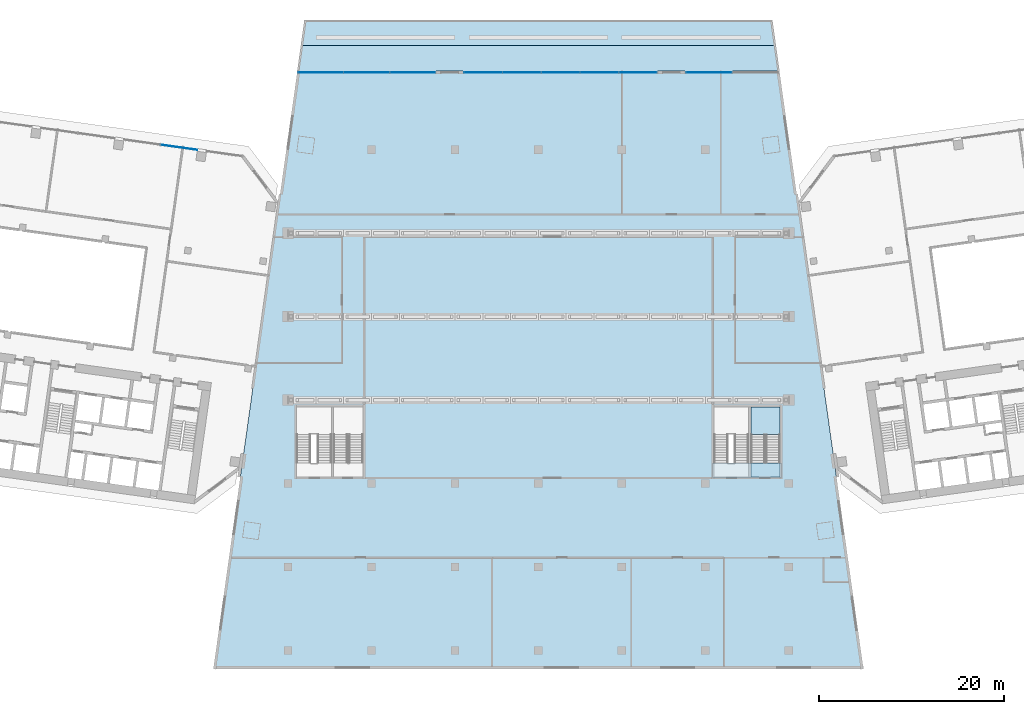
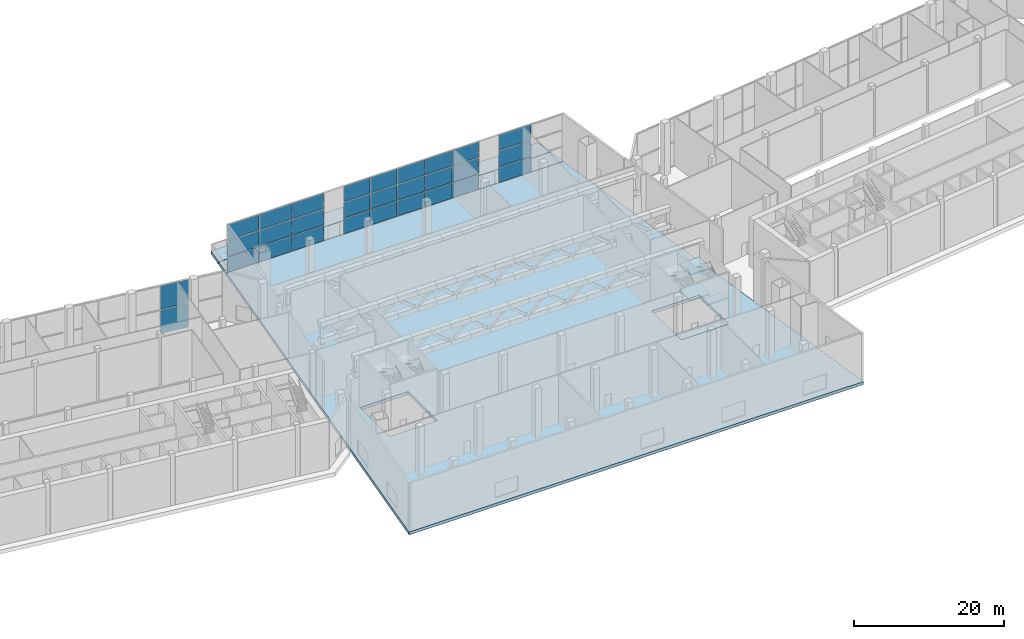
# One storey, part 14 of 31: 29 plates, 7 slabs, 5 elements without a shape of their own.
"""IFC4 building model written with IfcOpenShell, lengths in metres."""

from ifc_helpers import new_model, si_unit, direction, frame, origin, origin_2d, place, context, subcontext, project, spatial, polyline, rectangle, outline, extrude, material, layer, layer_set, type_object, element, aggregate, save


model = new_model("IFC4")

# Units and contexts
model_context = context("Model", 3, precision=1e-05, world=origin(), true_north=direction((0.0, 1.0)))
body_context = subcontext(model_context, "Body", "Model", "MODEL_VIEW")
ifc_project = project(units=[si_unit("LENGTHUNIT", "METRE"), si_unit("AREAUNIT", "SQUARE_METRE"), si_unit("VOLUMEUNIT", "CUBIC_METRE"), si_unit("PLANEANGLEUNIT", "RADIAN"), si_unit("MASSUNIT", "GRAM", prefix="KILO")], contexts=[model_context])

# Site, building, storey
site_placement = place(None, origin())
site = spatial("IfcSite", under=ifc_project, at=site_placement, CompositionType="ELEMENT")
building_placement = place(site_placement, origin())
building = spatial("IfcBuilding", under=site, at=building_placement, Name="Mirante Cascada Hotel Towers", CompositionType="ELEMENT")
storey_placement = place(building_placement, frame((0.0, 0.0, 9.0)))
storey = spatial("IfcBuildingStorey", under=building, at=storey_placement, Name="L01", CompositionType="ELEMENT", Elevation=9.0)

# Curtain wall, plates
ifc_material_1 = material(Name="Aluminium mullion and transom frame with clear laminated glass", Category="aluminium")
curtain_wall_type = type_object("IfcCurtainWallType", Name="Podium curtain wall ECW3", PredefinedType="NOTDEFINED", material=ifc_material_1)
curtain_wall_1_placement = place(storey_placement, origin())
curtain_wall_1 = element("IfcCurtainWall", 1, at=curtain_wall_1_placement, inside=storey, type_object=curtain_wall_type, Name="Front podium glazing T1 L01", PredefinedType="NOTDEFINED")
ifc_material_2 = material(Name="Clear laminated glass", Category="glass")
ifc_layer_1 = layer(ifc_material_2, 0.04)
ifc_layer_set_1 = layer_set([ifc_layer_1], Name="ECW3 glass panel 40")
plate_type = type_object("IfcPlateType", Name="ECW3 glass panel 40", PredefinedType="CURTAIN_PANEL", material=ifc_layer_set_1)
plate_1_placement = place(storey_placement, frame((-38.7767, 18.2687, 0.12), z_axis=(0.0, 0.0, 1.0), x_axis=(0.9902681, -0.1391731, 0.0)))
plate_1 = element("IfcPlate", 2, at=plate_1_placement, type_object=plate_type, Name="ECW3 panel 13", PredefinedType="CURTAIN_PANEL", context=body_context, shape_type="SweptSolid", body=[
    extrude(rectangle(XDim=3.9844, YDim=0.04, at=origin_2d()), origin(), (0.0, 0.0, 1.0), 3.82),
])
plate_2_placement = place(storey_placement, frame((-38.7767, 18.2687, 4.06), z_axis=(0.0, 0.0, 1.0), x_axis=(0.9902681, -0.1391731, 0.0)))
plate_2 = element("IfcPlate", 3, at=plate_2_placement, type_object=plate_type, Name="ECW3 panel 13", PredefinedType="CURTAIN_PANEL", context=body_context, shape_type="SweptSolid", body=[
    extrude(rectangle(XDim=3.9844, YDim=0.04, at=origin_2d()), origin(), (0.0, 0.0, 1.0), 3.82),
])
aggregate(curtain_wall_1, [plate_1, plate_2])

curtain_wall_2_placement = place(storey_placement, origin())
curtain_wall_2 = element("IfcCurtainWall", 4, at=curtain_wall_2_placement, inside=storey, type_object=curtain_wall_type, Name="Podium curtain wall L01 run 4.1", PredefinedType="NOTDEFINED")
plate_3_placement = place(storey_placement, frame((18.4076, 26.35, 0.12), z_axis=(0.0, 0.0, 1.0), x_axis=(-1.0, 0.0, 0.0)))
plate_3 = element("IfcPlate", 5, at=plate_3_placement, type_object=plate_type, Name="ECW3 panel 2", PredefinedType="CURTAIN_PANEL", context=body_context, shape_type="SweptSolid", body=[
    extrude(rectangle(XDim=4.9513, YDim=0.04, at=origin_2d()), origin(), (0.0, 0.0, 1.0), 2.4867),
])
plate_4_placement = place(storey_placement, frame((18.4076, 26.35, 2.7266), z_axis=(0.0, 0.0, 1.0), x_axis=(-1.0, 0.0, 0.0)))
plate_4 = element("IfcPlate", 6, at=plate_4_placement, type_object=plate_type, Name="ECW3 panel 2", PredefinedType="CURTAIN_PANEL", context=body_context, shape_type="SweptSolid", body=[
    extrude(rectangle(XDim=4.9513, YDim=0.04, at=origin_2d()), origin(), (0.0, 0.0, 1.0), 2.5467),
])
plate_5_placement = place(storey_placement, frame((18.4076, 26.35, 5.3934), z_axis=(0.0, 0.0, 1.0), x_axis=(-1.0, 0.0, 0.0)))
plate_5 = element("IfcPlate", 7, at=plate_5_placement, type_object=plate_type, Name="ECW3 panel 2", PredefinedType="CURTAIN_PANEL", context=body_context, shape_type="SweptSolid", body=[
    extrude(rectangle(XDim=4.9513, YDim=0.04, at=origin_2d()), origin(), (0.0, 0.0, 1.0), 2.4867),
])
aggregate(curtain_wall_2, [plate_3, plate_4, plate_5])

curtain_wall_3_placement = place(storey_placement, origin())
curtain_wall_3 = element("IfcCurtainWall", 8, at=curtain_wall_3_placement, inside=storey, type_object=curtain_wall_type, Name="Podium curtain wall L01 run 4.3", PredefinedType="NOTDEFINED")
plate_6_placement = place(storey_placement, frame((10.74, 26.35, 0.12), z_axis=(0.0, 0.0, 1.0), x_axis=(-1.0, 0.0, 0.0)))
plate_6 = element("IfcPlate", 9, at=plate_6_placement, type_object=plate_type, Name="ECW3 panel 1", PredefinedType="CURTAIN_PANEL", context=body_context, shape_type="SweptSolid", body=[
    extrude(rectangle(XDim=4.064, YDim=0.04, at=origin_2d()), origin(), (0.0, 0.0, 1.0), 2.4867),
])
plate_7_placement = place(storey_placement, frame((10.74, 26.35, 2.7266), z_axis=(0.0, 0.0, 1.0), x_axis=(-1.0, 0.0, 0.0)))
plate_7 = element("IfcPlate", 10, at=plate_7_placement, type_object=plate_type, Name="ECW3 panel 1", PredefinedType="CURTAIN_PANEL", context=body_context, shape_type="SweptSolid", body=[
    extrude(rectangle(XDim=4.064, YDim=0.04, at=origin_2d()), origin(), (0.0, 0.0, 1.0), 2.5467),
])
plate_8_placement = place(storey_placement, frame((10.74, 26.35, 5.3934), z_axis=(0.0, 0.0, 1.0), x_axis=(-1.0, 0.0, 0.0)))
plate_8 = element("IfcPlate", 11, at=plate_8_placement, type_object=plate_type, Name="ECW3 panel 1", PredefinedType="CURTAIN_PANEL", context=body_context, shape_type="SweptSolid", body=[
    extrude(rectangle(XDim=4.064, YDim=0.04, at=origin_2d()), origin(), (0.0, 0.0, 1.0), 2.4867),
])
plate_9_placement = place(storey_placement, frame((6.576, 26.35, 0.12), z_axis=(0.0, 0.0, 1.0), x_axis=(-1.0, 0.0, 0.0)))
plate_9 = element("IfcPlate", 12, at=plate_9_placement, type_object=plate_type, Name="ECW3 panel 2", PredefinedType="CURTAIN_PANEL", context=body_context, shape_type="SweptSolid", body=[
    extrude(rectangle(XDim=4.104, YDim=0.04, at=origin_2d()), origin(), (0.0, 0.0, 1.0), 2.4867),
])
plate_10_placement = place(storey_placement, frame((6.576, 26.35, 2.7266), z_axis=(0.0, 0.0, 1.0), x_axis=(-1.0, 0.0, 0.0)))
plate_10 = element("IfcPlate", 13, at=plate_10_placement, type_object=plate_type, Name="ECW3 panel 2", PredefinedType="CURTAIN_PANEL", context=body_context, shape_type="SweptSolid", body=[
    extrude(rectangle(XDim=4.104, YDim=0.04, at=origin_2d()), origin(), (0.0, 0.0, 1.0), 2.5467),
])
plate_11_placement = place(storey_placement, frame((6.576, 26.35, 5.3934), z_axis=(0.0, 0.0, 1.0), x_axis=(-1.0, 0.0, 0.0)))
plate_11 = element("IfcPlate", 14, at=plate_11_placement, type_object=plate_type, Name="ECW3 panel 2", PredefinedType="CURTAIN_PANEL", context=body_context, shape_type="SweptSolid", body=[
    extrude(rectangle(XDim=4.104, YDim=0.04, at=origin_2d()), origin(), (0.0, 0.0, 1.0), 2.4867),
])
plate_12_placement = place(storey_placement, frame((2.392, 26.35, 0.12), z_axis=(0.0, 0.0, 1.0), x_axis=(-1.0, 0.0, 0.0)))
plate_12 = element("IfcPlate", 15, at=plate_12_placement, type_object=plate_type, Name="ECW3 panel 3", PredefinedType="CURTAIN_PANEL", context=body_context, shape_type="SweptSolid", body=[
    extrude(rectangle(XDim=4.104, YDim=0.04, at=origin_2d()), origin(), (0.0, 0.0, 1.0), 2.4867),
])
plate_13_placement = place(storey_placement, frame((2.392, 26.35, 2.7266), z_axis=(0.0, 0.0, 1.0), x_axis=(-1.0, 0.0, 0.0)))
plate_13 = element("IfcPlate", 16, at=plate_13_placement, type_object=plate_type, Name="ECW3 panel 3", PredefinedType="CURTAIN_PANEL", context=body_context, shape_type="SweptSolid", body=[
    extrude(rectangle(XDim=4.104, YDim=0.04, at=origin_2d()), origin(), (0.0, 0.0, 1.0), 2.5467),
])
plate_14_placement = place(storey_placement, frame((2.392, 26.35, 5.3934), z_axis=(0.0, 0.0, 1.0), x_axis=(-1.0, 0.0, 0.0)))
plate_14 = element("IfcPlate", 17, at=plate_14_placement, type_object=plate_type, Name="ECW3 panel 3", PredefinedType="CURTAIN_PANEL", context=body_context, shape_type="SweptSolid", body=[
    extrude(rectangle(XDim=4.104, YDim=0.04, at=origin_2d()), origin(), (0.0, 0.0, 1.0), 2.4867),
])
plate_15_placement = place(storey_placement, frame((-1.792, 26.35, 0.12), z_axis=(0.0, 0.0, 1.0), x_axis=(-1.0, 0.0, 0.0)))
plate_15 = element("IfcPlate", 18, at=plate_15_placement, type_object=plate_type, Name="ECW3 panel 4", PredefinedType="CURTAIN_PANEL", context=body_context, shape_type="SweptSolid", body=[
    extrude(rectangle(XDim=4.104, YDim=0.04, at=origin_2d()), origin(), (0.0, 0.0, 1.0), 2.4867),
])
plate_16_placement = place(storey_placement, frame((-1.792, 26.35, 2.7266), z_axis=(0.0, 0.0, 1.0), x_axis=(-1.0, 0.0, 0.0)))
plate_16 = element("IfcPlate", 19, at=plate_16_placement, type_object=plate_type, Name="ECW3 panel 4", PredefinedType="CURTAIN_PANEL", context=body_context, shape_type="SweptSolid", body=[
    extrude(rectangle(XDim=4.104, YDim=0.04, at=origin_2d()), origin(), (0.0, 0.0, 1.0), 2.5467),
])
plate_17_placement = place(storey_placement, frame((-1.792, 26.35, 5.3934), z_axis=(0.0, 0.0, 1.0), x_axis=(-1.0, 0.0, 0.0)))
plate_17 = element("IfcPlate", 20, at=plate_17_placement, type_object=plate_type, Name="ECW3 panel 4", PredefinedType="CURTAIN_PANEL", context=body_context, shape_type="SweptSolid", body=[
    extrude(rectangle(XDim=4.104, YDim=0.04, at=origin_2d()), origin(), (0.0, 0.0, 1.0), 2.4867),
])
plate_18_placement = place(storey_placement, frame((-5.956, 26.35, 0.12), z_axis=(0.0, 0.0, 1.0), x_axis=(-1.0, 0.0, 0.0)))
plate_18 = element("IfcPlate", 21, at=plate_18_placement, type_object=plate_type, Name="ECW3 panel 5", PredefinedType="CURTAIN_PANEL", context=body_context, shape_type="SweptSolid", body=[
    extrude(rectangle(XDim=4.064, YDim=0.04, at=origin_2d()), origin(), (0.0, 0.0, 1.0), 2.4867),
])
plate_19_placement = place(storey_placement, frame((-5.956, 26.35, 2.7266), z_axis=(0.0, 0.0, 1.0), x_axis=(-1.0, 0.0, 0.0)))
plate_19 = element("IfcPlate", 22, at=plate_19_placement, type_object=plate_type, Name="ECW3 panel 5", PredefinedType="CURTAIN_PANEL", context=body_context, shape_type="SweptSolid", body=[
    extrude(rectangle(XDim=4.064, YDim=0.04, at=origin_2d()), origin(), (0.0, 0.0, 1.0), 2.5467),
])
plate_20_placement = place(storey_placement, frame((-5.956, 26.35, 5.3934), z_axis=(0.0, 0.0, 1.0), x_axis=(-1.0, 0.0, 0.0)))
plate_20 = element("IfcPlate", 23, at=plate_20_placement, type_object=plate_type, Name="ECW3 panel 5", PredefinedType="CURTAIN_PANEL", context=body_context, shape_type="SweptSolid", body=[
    extrude(rectangle(XDim=4.064, YDim=0.04, at=origin_2d()), origin(), (0.0, 0.0, 1.0), 2.4867),
])
aggregate(curtain_wall_3, [plate_6, plate_7, plate_8, plate_9, plate_10, plate_11, plate_12, plate_13, plate_14, plate_15, plate_16, plate_17, plate_18, plate_19, plate_20])

curtain_wall_4_placement = place(storey_placement, origin())
curtain_wall_4 = element("IfcCurtainWall", 24, at=curtain_wall_4_placement, inside=storey, type_object=curtain_wall_type, Name="Podium curtain wall L01 run 4.5", PredefinedType="NOTDEFINED")
plate_21_placement = place(storey_placement, frame((-13.5758, 26.35, 0.12), z_axis=(0.0, 0.0, 1.0), x_axis=(-1.0, 0.0, 0.0)))
plate_21 = element("IfcPlate", 25, at=plate_21_placement, type_object=plate_type, Name="ECW3 panel 1", PredefinedType="CURTAIN_PANEL", context=body_context, shape_type="SweptSolid", body=[
    extrude(rectangle(XDim=4.8555, YDim=0.04, at=origin_2d()), origin(), (0.0, 0.0, 1.0), 2.4867),
])
plate_22_placement = place(storey_placement, frame((-13.5758, 26.35, 2.7266), z_axis=(0.0, 0.0, 1.0), x_axis=(-1.0, 0.0, 0.0)))
plate_22 = element("IfcPlate", 26, at=plate_22_placement, type_object=plate_type, Name="ECW3 panel 1", PredefinedType="CURTAIN_PANEL", context=body_context, shape_type="SweptSolid", body=[
    extrude(rectangle(XDim=4.8555, YDim=0.04, at=origin_2d()), origin(), (0.0, 0.0, 1.0), 2.5467),
])
plate_23_placement = place(storey_placement, frame((-13.5758, 26.35, 5.3934), z_axis=(0.0, 0.0, 1.0), x_axis=(-1.0, 0.0, 0.0)))
plate_23 = element("IfcPlate", 27, at=plate_23_placement, type_object=plate_type, Name="ECW3 panel 1", PredefinedType="CURTAIN_PANEL", context=body_context, shape_type="SweptSolid", body=[
    extrude(rectangle(XDim=4.8555, YDim=0.04, at=origin_2d()), origin(), (0.0, 0.0, 1.0), 2.4867),
])
plate_24_placement = place(storey_placement, frame((-18.5313, 26.35, 0.12), z_axis=(0.0, 0.0, 1.0), x_axis=(-1.0, 0.0, 0.0)))
plate_24 = element("IfcPlate", 28, at=plate_24_placement, type_object=plate_type, Name="ECW3 panel 2", PredefinedType="CURTAIN_PANEL", context=body_context, shape_type="SweptSolid", body=[
    extrude(rectangle(XDim=4.8955, YDim=0.04, at=origin_2d()), origin(), (0.0, 0.0, 1.0), 2.4867),
])
plate_25_placement = place(storey_placement, frame((-18.5313, 26.35, 2.7266), z_axis=(0.0, 0.0, 1.0), x_axis=(-1.0, 0.0, 0.0)))
plate_25 = element("IfcPlate", 29, at=plate_25_placement, type_object=plate_type, Name="ECW3 panel 2", PredefinedType="CURTAIN_PANEL", context=body_context, shape_type="SweptSolid", body=[
    extrude(rectangle(XDim=4.8955, YDim=0.04, at=origin_2d()), origin(), (0.0, 0.0, 1.0), 2.5467),
])
plate_26_placement = place(storey_placement, frame((-18.5313, 26.35, 5.3934), z_axis=(0.0, 0.0, 1.0), x_axis=(-1.0, 0.0, 0.0)))
plate_26 = element("IfcPlate", 30, at=plate_26_placement, type_object=plate_type, Name="ECW3 panel 2", PredefinedType="CURTAIN_PANEL", context=body_context, shape_type="SweptSolid", body=[
    extrude(rectangle(XDim=4.8955, YDim=0.04, at=origin_2d()), origin(), (0.0, 0.0, 1.0), 2.4867),
])
plate_27_placement = place(storey_placement, frame((-23.4868, 26.35, 0.12), z_axis=(0.0, 0.0, 1.0), x_axis=(-1.0, 0.0, 0.0)))
plate_27 = element("IfcPlate", 31, at=plate_27_placement, type_object=plate_type, Name="ECW3 panel 3", PredefinedType="CURTAIN_PANEL", context=body_context, shape_type="SweptSolid", body=[
    extrude(rectangle(XDim=4.8555, YDim=0.04, at=origin_2d()), origin(), (0.0, 0.0, 1.0), 2.4867),
])
plate_28_placement = place(storey_placement, frame((-23.4868, 26.35, 2.7266), z_axis=(0.0, 0.0, 1.0), x_axis=(-1.0, 0.0, 0.0)))
plate_28 = element("IfcPlate", 32, at=plate_28_placement, type_object=plate_type, Name="ECW3 panel 3", PredefinedType="CURTAIN_PANEL", context=body_context, shape_type="SweptSolid", body=[
    extrude(rectangle(XDim=4.8555, YDim=0.04, at=origin_2d()), origin(), (0.0, 0.0, 1.0), 2.5467),
])
plate_29_placement = place(storey_placement, frame((-23.4868, 26.35, 5.3934), z_axis=(0.0, 0.0, 1.0), x_axis=(-1.0, 0.0, 0.0)))
plate_29 = element("IfcPlate", 33, at=plate_29_placement, type_object=plate_type, Name="ECW3 panel 3", PredefinedType="CURTAIN_PANEL", context=body_context, shape_type="SweptSolid", body=[
    extrude(rectangle(XDim=4.8555, YDim=0.04, at=origin_2d()), origin(), (0.0, 0.0, 1.0), 2.4867),
])
aggregate(curtain_wall_4, [plate_21, plate_22, plate_23, plate_24, plate_25, plate_26, plate_27, plate_28, plate_29])

# Slab
ifc_material_3 = material(Name="Concrete C35/45", Category="concrete")
ifc_layer_2 = layer(ifc_material_3, 0.5)
ifc_layer_set_2 = layer_set([ifc_layer_2], Name="Floor slab 500 C35/45")
slab_type_1 = type_object("IfcSlabType", Name="Floor slab 500 C35/45", PredefinedType="FLOOR", material=ifc_layer_set_2)
slab_1_placement = place(storey_placement, frame((0.0, 0.0, -0.5)))
element("IfcSlab", 34, at=slab_1_placement, inside=storey, type_object=slab_type_1, Name="Podium floor slab L01", PredefinedType="FLOOR", context=body_context, shape_type="SweptSolid", body=[
    extrude(outline(polyline([(-25.9946, 26.5), (25.9946, 26.5), (35.0595, -38.0), (-35.0595, -38.0), (-25.9946, 26.5)]), holes=[polyline([(26.2, -17.4), (26.2, -9.6), (18.8, -9.6), (18.8, -17.4), (26.2, -17.4)]), polyline([(-18.8, -17.4), (-18.8, -9.6), (-26.2, -9.6), (-26.2, -17.4), (-18.8, -17.4)])]), origin(), (0.0, 0.0, 1.0), 0.5),
])

# Stair, slabs
ifc_material_4 = material(Name="Concrete C35/45", Category="concrete")
stair_type = type_object("IfcStairType", Name="Podium exit stair half-turn 1500 concrete C35/45", PredefinedType="HALF_TURN_STAIR", material=ifc_material_4)
stair_placement = place(storey_placement, origin())
stair = element("IfcStair", 35, at=stair_placement, inside=storey, type_object=stair_type, Name="L01 Podium exit stair 4", PredefinedType="HALF_TURN_STAIR")
ifc_material_5 = material(Name="Concrete C35/45", Category="concrete")
ifc_layer_3 = layer(ifc_material_5, 0.2)
ifc_layer_set_3 = layer_set([ifc_layer_3], Name="Podium exit stair landing 200 concrete C35/45")
slab_type_2 = type_object("IfcSlabType", Name="Podium exit stair landing 200 concrete C35/45", PredefinedType="LANDING", material=ifc_layer_set_3)
slab_2_placement = place(storey_placement, frame((0.0, 0.0, 1.925)))
slab_2 = element("IfcSlab", 36, at=slab_2_placement, type_object=slab_type_2, Name="PS2 landing 1", PredefinedType="LANDING", context=body_context, shape_type="SweptSolid", body=[
    extrude(outline(polyline([(26.075, -12.695), (26.075, -9.725), (22.925, -9.725), (22.925, -12.695), (26.075, -12.695)])), origin(), (0.0, 0.0, 1.0), 0.2),
])
slab_3_placement = place(storey_placement, frame((0.0, 0.0, 4.05)))
slab_3 = element("IfcSlab", 37, at=slab_3_placement, type_object=slab_type_2, Name="PS2 landing 2", PredefinedType="LANDING", context=body_context, shape_type="SweptSolid", body=[
    extrude(outline(polyline([(26.075, -17.275), (26.075, -15.775), (22.925, -15.775), (22.925, -17.275), (26.075, -17.275)])), origin(), (0.0, 0.0, 1.0), 0.2),
])
slab_4_placement = place(storey_placement, frame((0.0, 0.0, 6.175)))
slab_4 = element("IfcSlab", 38, at=slab_4_placement, type_object=slab_type_2, Name="PS2 landing 3", PredefinedType="LANDING", context=body_context, shape_type="SweptSolid", body=[
    extrude(outline(polyline([(26.075, -12.695), (26.075, -9.725), (22.925, -9.725), (22.925, -12.695), (26.075, -12.695)])), origin(), (0.0, 0.0, 1.0), 0.2),
])
aggregate(stair, [slab_2, slab_3, slab_4])

# Slabs
ifc_material_6 = material(Name="Concrete C35/45", Category="concrete")
ifc_layer_4 = layer(ifc_material_6, 0.5)
ifc_layer_set_4 = layer_set([ifc_layer_4], Name="Stair floor landing 500 concrete C35/45")
slab_type_3 = type_object("IfcSlabType", Name="Stair floor landing 500 concrete C35/45", PredefinedType="LANDING", material=ifc_layer_set_4)
slab_5_placement = place(storey_placement, frame((0.0, 0.0, -0.5)))
element("IfcSlab", 39, at=slab_5_placement, inside=storey, type_object=slab_type_3, Name="Exit stair 4 floor landing L01", PredefinedType="LANDING", context=body_context, shape_type="SweptSolid", body=[
    extrude(outline(polyline([(18.8, -17.4), (26.2, -17.4), (26.2, -15.775), (18.8, -15.775), (18.8, -17.4)])), origin(), (0.0, 0.0, 1.0), 0.5),
])
ifc_material_7 = material(Name="Concrete C35/45", Category="concrete")
ifc_layer_5 = layer(ifc_material_7, 0.5)
ifc_layer_set_5 = layer_set([ifc_layer_5], Name="Terrace slab 500 C35/45")
slab_type_4 = type_object("IfcSlabType", Name="Terrace slab 500 C35/45", PredefinedType="ROOF", material=ifc_layer_set_5)
slab_6_placement = place(storey_placement, frame((0.0, 0.0, -0.5)))
element("IfcSlab", 40, at=slab_6_placement, inside=storey, type_object=slab_type_4, Name="Planted terrace slab above L00", PredefinedType="ROOF", context=body_context, shape_type="SweptSolid", body=[
    extrude(outline(polyline([(25.9946, 26.5), (-25.9946, 26.5), (-25.6081, 29.25), (25.6081, 29.25), (25.9946, 26.5)])), origin(), (0.0, 0.0, 1.0), 0.5),
])
slab_7_placement = place(storey_placement, frame((0.0, 0.0, -0.5)))
element("IfcSlab", 41, at=slab_7_placement, inside=storey, type_object=slab_type_4, Name="Planted terrace slab above L00", PredefinedType="ROOF", context=body_context, shape_type="SweptSolid", body=[
    extrude(outline(polyline([(25.2216, 32.0), (25.6081, 29.25), (-25.6081, 29.25), (-25.2216, 32.0), (25.2216, 32.0)])), origin(), (0.0, 0.0, 1.0), 0.5),
])

save(model, "model.ifc")
